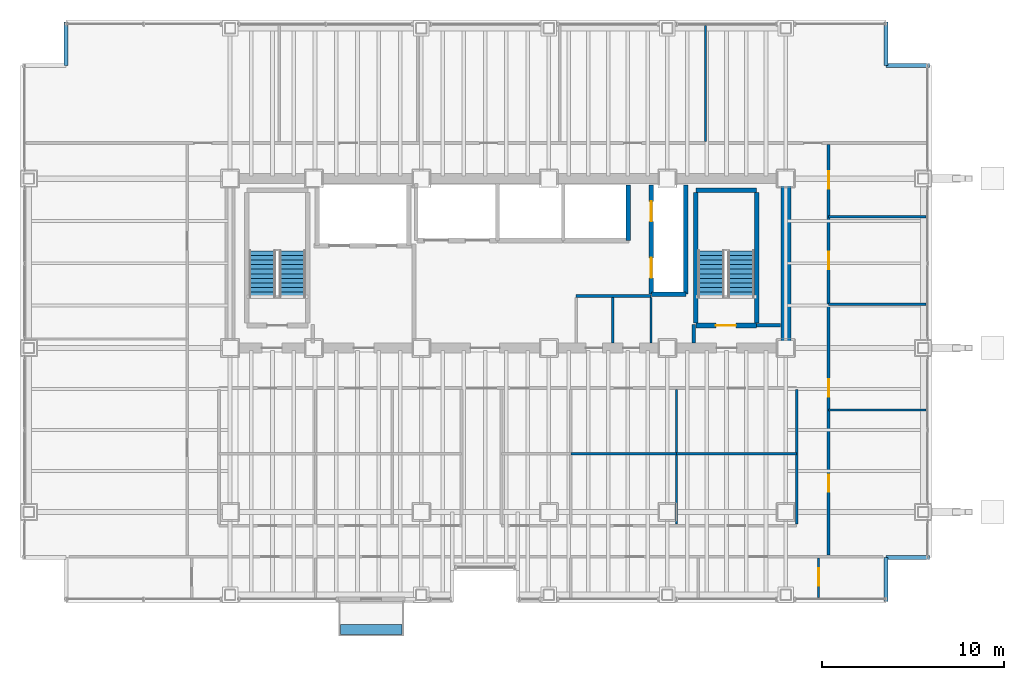
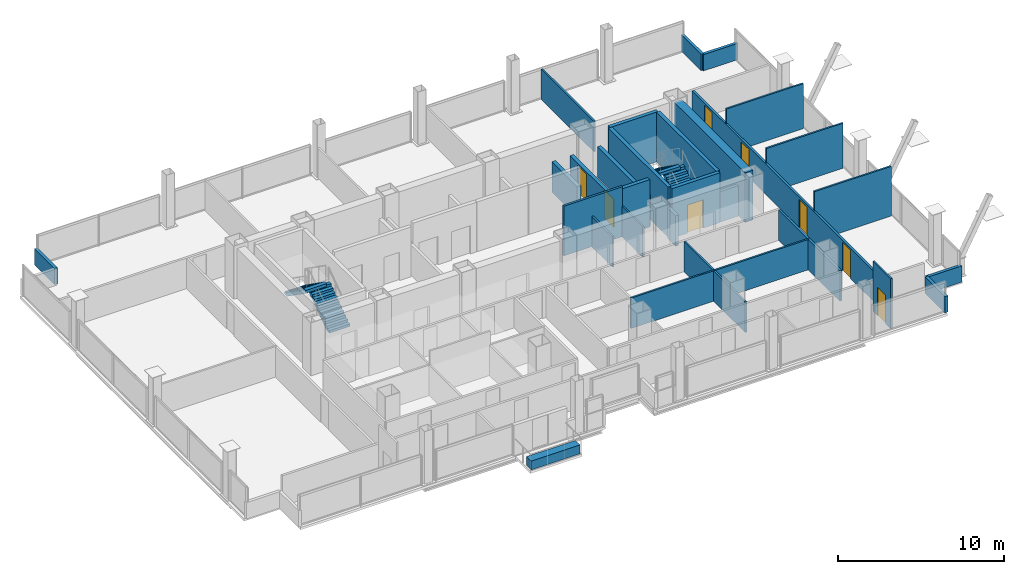
# One storey, part 20 of 21: 29 walls, 8 doors, 4 stair flights, 1 discrete accessory, 8 openings, 2 elements without a shape of their own.
"""IFC4 building model written with IfcOpenShell, lengths in metres."""

from ifc_helpers import new_model, si_unit, direction, frame, frame_2d, origin, origin_2d, place, context, subcontext, project, spatial, polyline, rectangle, outline, extrude, material, layer, layer_set, type_object, element, fill, aggregate, save


model = new_model("IFC4")

# Units and contexts
model_context = context("Model", 3, precision=1e-05, world=origin(), true_north=direction((0.0, 1.0)))
body_context = subcontext(model_context, "Body", "Model", "MODEL_VIEW")
ifc_project = project(units=[si_unit("LENGTHUNIT", "METRE"), si_unit("AREAUNIT", "SQUARE_METRE"), si_unit("VOLUMEUNIT", "CUBIC_METRE"), si_unit("PLANEANGLEUNIT", "RADIAN"), si_unit("MASSUNIT", "GRAM", prefix="KILO")], contexts=[model_context])

# Site, building, storey
site_placement = place(None, origin())
site = spatial("IfcSite", under=ifc_project, at=site_placement, CompositionType="ELEMENT")
building_placement = place(site_placement, origin())
building = spatial("IfcBuilding", under=site, at=building_placement, Name="Noeulbin Bourse Tower", CompositionType="ELEMENT")
storey_placement = place(building_placement, frame((0.0, 0.0, 49.89990234375)))
storey = spatial("IfcBuildingStorey", under=building, at=storey_placement, Name="L12", CompositionType="ELEMENT", Elevation=49.89990234375)

# Walls
ifc_material_1 = material(Name="Concrete C60/75", Category="concrete")
ifc_layer_1 = layer(ifc_material_1, 0.550048828125)
ifc_layer_set_1 = layer_set([ifc_layer_1], Name="Concrete C60/75")
wall_type_1 = type_object("IfcWallType", Name="WAL-CORE-550", PredefinedType="SHEAR", material=ifc_layer_set_1)
wall_1_placement = place(storey_placement, frame((44.0, 29.35009765625, 0.0), z_axis=(0.0, 0.0, 1.0), x_axis=(0.0, 1.0, 0.0)))
element("IfcWall", 1, at=wall_1_placement, inside=storey, type_object=wall_type_1, Name="Rear Core East Shear Wall L12", PredefinedType="SHEAR", context=body_context, shape_type="SweptSolid", body=[
    extrude(rectangle(XDim=8.599853515625, YDim=0.550048828125, at=frame_2d((4.2998046875, 0.0))), origin(), (0.0, 0.0, 1.0), 3.66015625),
])
ifc_material_2 = material(Name="Concrete C40/50", Category="concrete")
ifc_layer_2 = layer(ifc_material_2, 0.199951171875)
ifc_layer_set_2 = layer_set([ifc_layer_2], Name="Concrete C40/50")
wall_type_2 = type_object("IfcWallType", Name="WAL-FIRE-200", PredefinedType="STANDARD", material=ifc_layer_set_2)
wall_2_placement = place(storey_placement, frame((42.39990234375, 30.239990234375, 0.0), z_axis=(0.0, 0.0, 1.0), x_axis=(1.0, 0.0, 0.0)))
element("IfcWall", 2, at=wall_2_placement, inside=storey, type_object=wall_type_2, Name="Interior Partition Wall L12-01", PredefinedType="STANDARD", context=body_context, shape_type="SweptSolid", body=[
    extrude(rectangle(XDim=1.315185546875, YDim=0.199951171875, at=frame_2d((0.65771484375, 0.0))), origin(), (0.0, 0.0, 1.0), 2.239990234375),
])
wall_3_placement = place(storey_placement, frame((38.949951171875, 29.284912109375, 0.0), z_axis=(0.0, 0.0, 1.0), x_axis=(0.0, 1.0, 0.0)))
element("IfcWall", 3, at=wall_3_placement, inside=storey, type_object=wall_type_2, Name="Interior Partition Wall L12-19", PredefinedType="STANDARD", context=body_context, shape_type="SweptSolid", body=[
    extrude(rectangle(XDim=1.01513671875, YDim=0.199951171875, at=frame_2d((0.507568359375, 0.0))), origin(), (0.0, 0.0, 1.0), 2.239990234375),
])
ifc_layer_3 = layer(ifc_material_2, 0.199951171875)
ifc_layer_set_3 = layer_set([ifc_layer_3], Name="Concrete C40/50")
wall_type_3 = type_object("IfcWallType", Name="WAL-PAR-200", PredefinedType="PARAPET", material=ifc_layer_set_3)
for number, where, z_axis, x_axis, name in (
    (4, (49.5, 15.10009765625, 0.0), (0.0, 0.0, 1.0), (0.0, 1.0, 0.0), "Corner Notch Parapet L12-SE1"),
    (5, (49.5, 17.5, 0.0), (0.0, 0.0, 1.0), (1.0, 0.0, 0.0), "Corner Notch Parapet L12-SE2"),
    (6, (4.5, 44.5, 0.0), (0.0, 0.0, 1.0), (0.0, 1.0, 0.0), "Corner Notch Parapet L12-NW2"),
    (7, (49.5, 46.89990234375, 0.0), (0.0, 0.0, 1.0), (0.0, -1.0, 0.0), "Corner Notch Parapet L12-NE1"),
    (8, (49.5, 44.5, 0.0), (0.0, 0.0, 1.0), (1.0, 0.0, 0.0), "Corner Notch Parapet L12-NE2"),
):
    element("IfcWall", number, at=place(storey_placement, frame(where, z_axis=z_axis, x_axis=x_axis)), inside=storey, type_object=wall_type_3, Name=name, PredefinedType="PARAPET", context=body_context, shape_type="SweptSolid", body=[
        extrude(rectangle(XDim=2.39990234375, YDim=0.199951171875, at=frame_2d((1.199951171875, 0.0))), origin(), (0.0, 0.0, 1.0), 1.2001953125),
    ])
ifc_material_3 = material(Name="Steel Stud Gypsum Partition", Category="steel")
ifc_layer_4 = layer(ifc_material_3, 0.1201171875)
ifc_layer_set_4 = layer_set([ifc_layer_4], Name="Steel Stud Gypsum Partition")
wall_type_4 = type_object("IfcWallType", Name="WAL-PRT-120", PredefinedType="PARTITIONING", material=ifc_layer_set_4)
wall_4_placement = place(storey_placement, frame((32.199951171875, 23.199951171875, 0.0), z_axis=(0.0, 0.0, 1.0), x_axis=(1.0, 0.0, 0.0)))
element("IfcWall", 9, at=wall_4_placement, inside=storey, type_object=wall_type_4, Name="Interior Partition Wall L12-11", PredefinedType="PARTITIONING", context=body_context, shape_type="SweptSolid", body=[
    extrude(rectangle(XDim=5.800048828125, YDim=0.1201171875, at=frame_2d((2.89990234375, 0.0))), origin(), (0.0, 0.0, 1.0), 2.239990234375),
])
wall_5_placement = place(storey_placement, frame((38.0, 23.199951171875, 0.0), z_axis=(0.0, 0.0, 1.0), x_axis=(1.0, 0.0, 0.0)))
element("IfcWall", 10, at=wall_5_placement, inside=storey, type_object=wall_type_4, Name="Interior Partition Wall L12-12", PredefinedType="PARTITIONING", context=body_context, shape_type="SweptSolid", body=[
    extrude(rectangle(XDim=6.60009765625, YDim=0.1201171875, at=frame_2d((3.300048828125, 0.0))), origin(), (0.0, 0.0, 1.0), 2.239990234375),
])
wall_6_placement = place(storey_placement, frame((46.35009765625, 25.60009765625, 0.0), z_axis=(0.0, 0.0, 1.0), x_axis=(1.0, 0.0, 0.0)))
element("IfcWall", 11, at=wall_6_placement, inside=storey, type_object=wall_type_4, Name="Interior Partition Wall L12-14", PredefinedType="PARTITIONING", context=body_context, shape_type="SweptSolid", body=[
    extrude(rectangle(XDim=5.33984375, YDim=0.1201171875, at=frame_2d((2.669921875, 0.0))), origin(), (0.0, 0.0, 1.0), 3.66015625),
])
for number, where, z_axis, x_axis, name in (
    (12, (46.35009765625, 31.39990234375, 0.0), (0.0, 0.0, 1.0), (1.0, 0.0, 0.0), "Interior Partition Wall L12-15"),
    (13, (46.35009765625, 36.199951171875, 0.0), (0.0, 0.0, 1.0), (1.0, 0.0, 0.0), "Interior Partition Wall L12-16"),
):
    element("IfcWall", number, at=place(storey_placement, frame(where, z_axis=z_axis, x_axis=x_axis)), inside=storey, type_object=wall_type_4, Name=name, PredefinedType="PARTITIONING", context=body_context, shape_type="SweptSolid", body=[
        extrude(rectangle(XDim=5.33984375, YDim=0.1201171875, at=frame_2d((2.669921875, 0.0))), origin(), (0.0, 0.0, 1.0), 3.320068359375),
    ])
for number, where, z_axis, x_axis, name in (
    (14, (36.60009765625, 29.284912109375, 0.0), (0.0, 0.0, 1.0), (0.0, 1.0, 0.0), "Interior Partition Wall L12-22"),
    (15, (34.5, 29.284912109375, 0.0), (0.0, 0.0, 1.0), (0.0, 1.0, 0.0), "Interior Partition Wall L12-23"),
):
    element("IfcWall", number, at=place(storey_placement, frame(where, z_axis=z_axis, x_axis=x_axis)), inside=storey, type_object=wall_type_4, Name=name, PredefinedType="PARTITIONING", context=body_context, shape_type="SweptSolid", body=[
        extrude(rectangle(XDim=2.47998046875, YDim=0.1201171875, at=frame_2d((1.239990234375, 0.0))), origin(), (0.0, 0.0, 1.0), 2.239990234375),
    ])

# Wall, opening, door
wall_7_placement = place(storey_placement, frame((45.800048828125, 15.31005859375, 0.0), z_axis=(0.0, 0.0, 1.0), x_axis=(0.0, 1.0, 0.0)))
wall_7 = element("IfcWall", 16, at=wall_7_placement, inside=storey, type_object=wall_type_4, Name="Interior Partition Wall L12-34", PredefinedType="PARTITIONING", context=body_context, shape_type="SweptSolid", body=[
    extrude(rectangle(XDim=2.155029296875, YDim=0.1201171875, at=frame_2d((1.07763671875, 0.0))), origin(), (0.0, 0.0, 1.0), 3.66015625),
])
opening_1_placement = place(wall_7_placement, frame((0.64501953125, 0.0, 0.0)))
opening_1 = element("IfcOpeningElement", 17, at=opening_1_placement, cuts=wall_7, Name="Opening ID-09", PredefinedType="OPENING", context=body_context, shape_type="SweptSolid", body=[
    extrude(rectangle(XDim=0.949951171875, YDim=2.080078125, at=frame_2d((0.47509765625, 1.0400390625))), frame((0.0, 0.070068359375, 0.0), z_axis=(0.0, -1.0, 0.0), x_axis=(1.0, 0.0, 0.0)), (0.0, 0.0, 1.0), 0.14013671875),
])
ifc_material_4 = material(Name="Acoustic Solid-Core Timber", Category="wood")
door_type_1 = type_object("IfcDoorType", Name="DR-SINGLE-950", OperationType="SINGLE_SWING_LEFT", PredefinedType="DOOR", material=ifc_material_4)
door_1_placement = place(opening_1_placement, origin())
door_1 = element("IfcDoor", 18, at=door_1_placement, inside=storey, type_object=door_type_1, Name="Interior Door L12-13", OperationType="SINGLE_SWING_RIGHT", OverallHeight=2.080078125, OverallWidth=0.949951171875, PredefinedType="DOOR", context=body_context, shape_type="SweptSolid", body=[
    extrude(rectangle(XDim=0.949951171875, YDim=2.080078125, at=frame_2d((0.47509765625, 1.0400390625))), frame((0.0, 0.02490234375, 0.0), z_axis=(0.0, -1.0, 0.0), x_axis=(1.0, 0.0, 0.0)), (0.0, 0.0, 1.0), 0.050048828125),
])
fill(opening_1, door_1)

# Walls
wall_8_placement = place(storey_placement, frame((38.0, 19.3349609375, 0.0), z_axis=(0.0, 0.0, 1.0), x_axis=(0.0, 1.0, 0.0)))
element("IfcWall", 19, at=wall_8_placement, inside=storey, type_object=wall_type_4, Name="Interior Partition Wall L12-38", PredefinedType="PARTITIONING", context=body_context, shape_type="SweptSolid", body=[
    extrude(rectangle(XDim=7.380126953125, YDim=0.1201171875, at=frame_2d((3.68994140625, 0.0))), origin(), (0.0, 0.0, 1.0), 2.239990234375),
])
wall_9_placement = place(storey_placement, frame((39.60009765625, 40.3349609375, 0.0), z_axis=(0.0, 0.0, 1.0), x_axis=(0.0, 1.0, 0.0)))
element("IfcWall", 20, at=wall_9_placement, inside=storey, type_object=wall_type_4, Name="Interior Partition Wall L12-42", PredefinedType="PARTITIONING", context=body_context, shape_type="SweptSolid", body=[
    extrude(rectangle(XDim=6.35498046875, YDim=0.1201171875, at=frame_2d((3.177490234375, 0.0))), origin(), (0.0, 0.0, 1.0), 2.239990234375),
])
ifc_material_5 = material(Name="Steel Stud Acoustic Gypsum Board", Category="steel")
ifc_layer_5 = layer(ifc_material_5, 0.14990234375)
ifc_layer_set_5 = layer_set([ifc_layer_5], Name="Steel Stud Acoustic Gypsum Board")
wall_type_5 = type_object("IfcWallType", Name="WAL-PRT-150", PredefinedType="PARTITIONING", material=ifc_layer_set_5)
wall_10_placement = place(storey_placement, frame((32.5, 31.85009765625, 0.0), z_axis=(0.0, 0.0, 1.0), x_axis=(1.0, 0.0, 0.0)))
element("IfcWall", 21, at=wall_10_placement, inside=storey, type_object=wall_type_5, Name="Interior Partition Wall L12-02", PredefinedType="PARTITIONING", context=body_context, shape_type="SweptSolid", body=[
    extrude(rectangle(XDim=4.10009765625, YDim=0.14990234375, at=frame_2d((2.050048828125, 0.0))), origin(), (0.0, 0.0, 1.0), 3.66015625),
])

# Wall, openings, doors
wall_11_placement = place(storey_placement, frame((46.35009765625, 17.635009765625, 0.0), z_axis=(0.0, 0.0, 1.0), x_axis=(0.0, 1.0, 0.0)))
wall_11 = element("IfcWall", 22, at=wall_11_placement, inside=storey, type_object=wall_type_5, Name="Interior Partition Wall L12-28", PredefinedType="PARTITIONING", context=body_context, shape_type="SweptSolid", body=[
    extrude(rectangle(XDim=22.530029296875, YDim=0.14990234375, at=frame_2d((11.26513671875, 0.0))), origin(), (0.0, 0.0, 1.0), 2.239990234375),
])
opening_2_placement = place(wall_11_placement, frame((3.465087890625, 0.0, 0.0)))
opening_2 = element("IfcOpeningElement", 23, at=opening_2_placement, cuts=wall_11, Name="Opening ID-09", PredefinedType="OPENING", context=body_context, shape_type="SweptSolid", body=[
    extrude(rectangle(XDim=0.949951171875, YDim=2.080078125, at=frame_2d((0.47509765625, 1.0400390625))), frame((0.0, 0.0849609375, 0.0), z_axis=(0.0, -1.0, 0.0), x_axis=(1.0, 0.0, 0.0)), (0.0, 0.0, 1.0), 0.169921875),
])
opening_3_placement = place(wall_11_placement, frame((8.68994140625, 0.0, 0.0)))
opening_3 = element("IfcOpeningElement", 24, at=opening_3_placement, cuts=wall_11, Name="Opening ID-09", PredefinedType="OPENING", context=body_context, shape_type="SweptSolid", body=[
    extrude(rectangle(XDim=0.949951171875, YDim=2.080078125, at=frame_2d((0.47509765625, 1.0400390625))), frame((0.0, 0.0849609375, 0.0), z_axis=(0.0, -1.0, 0.0), x_axis=(1.0, 0.0, 0.0)), (0.0, 0.0, 1.0), 0.169921875),
])
opening_4_placement = place(wall_11_placement, frame((15.68994140625, 0.0, 0.0)))
opening_4 = element("IfcOpeningElement", 25, at=opening_4_placement, cuts=wall_11, Name="Opening ID-09", PredefinedType="OPENING", context=body_context, shape_type="SweptSolid", body=[
    extrude(rectangle(XDim=0.949951171875, YDim=2.080078125, at=frame_2d((0.47509765625, 1.0400390625))), frame((0.0, 0.0849609375, 0.0), z_axis=(0.0, -1.0, 0.0), x_axis=(1.0, 0.0, 0.0)), (0.0, 0.0, 1.0), 0.169921875),
])
opening_5_placement = place(wall_11_placement, frame((20.114990234375, 0.0, 0.0)))
opening_5 = element("IfcOpeningElement", 26, at=opening_5_placement, cuts=wall_11, Name="Opening ID-09", PredefinedType="OPENING", context=body_context, shape_type="SweptSolid", body=[
    extrude(rectangle(XDim=0.949951171875, YDim=2.080078125, at=frame_2d((0.47509765625, 1.0400390625))), frame((0.0, 0.0849609375, 0.0), z_axis=(0.0, -1.0, 0.0), x_axis=(1.0, 0.0, 0.0)), (0.0, 0.0, 1.0), 0.169921875),
])
door_2_placement = place(opening_2_placement, origin())
door_2 = element("IfcDoor", 27, at=door_2_placement, inside=storey, type_object=door_type_1, Name="Interior Door L12-28", OperationType="SINGLE_SWING_LEFT", OverallHeight=2.080078125, OverallWidth=0.949951171875, PredefinedType="DOOR", context=body_context, shape_type="SweptSolid", body=[
    extrude(rectangle(XDim=0.949951171875, YDim=2.080078125, at=frame_2d((0.47509765625, 1.0400390625))), frame((0.0, 0.02490234375, 0.0), z_axis=(0.0, -1.0, 0.0), x_axis=(1.0, 0.0, 0.0)), (0.0, 0.0, 1.0), 0.050048828125),
])
fill(opening_2, door_2)
door_3_placement = place(opening_3_placement, origin())
door_3 = element("IfcDoor", 28, at=door_3_placement, inside=storey, type_object=door_type_1, Name="Interior Door L12-29", OperationType="SINGLE_SWING_RIGHT", OverallHeight=2.080078125, OverallWidth=0.949951171875, PredefinedType="DOOR", context=body_context, shape_type="SweptSolid", body=[
    extrude(rectangle(XDim=0.949951171875, YDim=2.080078125, at=frame_2d((0.47509765625, 1.0400390625))), frame((0.0, 0.02490234375, 0.0), z_axis=(0.0, -1.0, 0.0), x_axis=(1.0, 0.0, 0.0)), (0.0, 0.0, 1.0), 0.050048828125),
])
fill(opening_3, door_3)
door_4_placement = place(opening_4_placement, origin())
door_4 = element("IfcDoor", 29, at=door_4_placement, inside=storey, type_object=door_type_1, Name="Interior Door L12-30", OperationType="SINGLE_SWING_LEFT", OverallHeight=2.080078125, OverallWidth=0.949951171875, PredefinedType="DOOR", context=body_context, shape_type="SweptSolid", body=[
    extrude(rectangle(XDim=0.949951171875, YDim=2.080078125, at=frame_2d((0.47509765625, 1.0400390625))), frame((0.0, 0.02490234375, 0.0), z_axis=(0.0, -1.0, 0.0), x_axis=(1.0, 0.0, 0.0)), (0.0, 0.0, 1.0), 0.050048828125),
])
fill(opening_4, door_4)
door_5_placement = place(opening_5_placement, origin())
door_5 = element("IfcDoor", 30, at=door_5_placement, inside=storey, type_object=door_type_1, Name="Interior Door L12-31", OperationType="SINGLE_SWING_RIGHT", OverallHeight=2.080078125, OverallWidth=0.949951171875, PredefinedType="DOOR", context=body_context, shape_type="SweptSolid", body=[
    extrude(rectangle(XDim=0.949951171875, YDim=2.080078125, at=frame_2d((0.47509765625, 1.0400390625))), frame((0.0, 0.02490234375, 0.0), z_axis=(0.0, -1.0, 0.0), x_axis=(1.0, 0.0, 0.0)), (0.0, 0.0, 1.0), 0.050048828125),
])
fill(opening_5, door_5)

# Wall
wall_12_placement = place(storey_placement, frame((44.60009765625, 19.3349609375, 0.0), z_axis=(0.0, 0.0, 1.0), x_axis=(0.0, 1.0, 0.0)))
element("IfcWall", 31, at=wall_12_placement, inside=storey, type_object=wall_type_5, Name="Interior Partition Wall L12-29", PredefinedType="PARTITIONING", context=body_context, shape_type="SweptSolid", body=[
    extrude(rectangle(XDim=7.380126953125, YDim=0.14990234375, at=frame_2d((3.68994140625, 0.0))), origin(), (0.0, 0.0, 1.0), 2.239990234375),
])

# Wall, opening, door
ifc_layer_6 = layer(ifc_material_2, 0.25)
ifc_layer_set_6 = layer_set([ifc_layer_6], Name="Concrete C40/50")
wall_type_6 = type_object("IfcWallType", Name="WAL-SHFT-250", PredefinedType="STANDARD", material=ifc_layer_set_6)
wall_13_placement = place(storey_placement, frame((39.06005859375, 30.235107421875, 0.0), z_axis=(0.0, 0.0, 1.0), x_axis=(1.0, 0.0, 0.0)))
wall_13 = element("IfcWall", 32, at=wall_13_placement, inside=storey, type_object=wall_type_6, Name="Stair ST-2 South Shaft Wall L12", PredefinedType="STANDARD", context=body_context, shape_type="SweptSolid", body=[
    extrude(rectangle(XDim=3.33984375, YDim=0.25, at=frame_2d((1.669921875, 0.0))), origin(), (0.0, 0.0, 1.0), 3.66015625),
])
opening_6_placement = place(wall_13_placement, frame((1.10009765625, 0.0, 0.0)))
opening_6 = element("IfcOpeningElement", 33, at=opening_6_placement, cuts=wall_13, Name="Opening FD-11", PredefinedType="OPENING", context=body_context, shape_type="SweptSolid", body=[
    extrude(rectangle(XDim=1.10009765625, YDim=2.080078125, at=frame_2d((0.550048828125, 1.0400390625))), frame((0.0, 0.135009765625, 0.0), z_axis=(0.0, -1.0, 0.0), x_axis=(1.0, 0.0, 0.0)), (0.0, 0.0, 1.0), 0.27001953125),
])
ifc_material_6 = material(Name="Fire-Rated Insulated Steel", Category="steel")
door_type_2 = type_object("IfcDoorType", Name="DR-FD60-1100", OperationType="SINGLE_SWING_LEFT", PredefinedType="DOOR", material=ifc_material_6)
door_6_placement = place(opening_6_placement, origin())
door_6 = element("IfcDoor", 34, at=door_6_placement, inside=storey, type_object=door_type_2, Name="Protected Stair Entry Door ST2-L12", OperationType="SINGLE_SWING_LEFT", OverallHeight=2.080078125, OverallWidth=1.10009765625, PredefinedType="DOOR", context=body_context, shape_type="SweptSolid", body=[
    extrude(rectangle(XDim=1.10009765625, YDim=2.080078125, at=frame_2d((0.550048828125, 1.0400390625))), frame((0.0, 0.02490234375, 0.0), z_axis=(0.0, -1.0, 0.0), x_axis=(1.0, 0.0, 0.0)), (0.0, 0.0, 1.0), 0.050048828125),
])
fill(opening_6, door_6)

# Walls
wall_14_placement = place(storey_placement, frame((39.06005859375, 37.6689453125, 0.0), z_axis=(0.0, 0.0, 1.0), x_axis=(1.0, 0.0, 0.0)))
element("IfcWall", 35, at=wall_14_placement, inside=storey, type_object=wall_type_6, Name="Stair ST-2 North Shaft Wall L12", PredefinedType="STANDARD", context=body_context, shape_type="SweptSolid", body=[
    extrude(rectangle(XDim=3.33984375, YDim=0.25, at=frame_2d((1.669921875, 0.0))), origin(), (0.0, 0.0, 1.0), 3.66015625),
])
for number, where, z_axis, x_axis, name in (
    (36, (39.054931640625, 30.360107421875, 0.0), (0.0, 0.0, 1.0), (0.0, 1.0, 0.0), "Stair ST-2 West Shaft Wall L12"),
    (37, (42.405029296875, 30.360107421875, 0.0), (0.0, 0.0, 1.0), (0.0, 1.0, 0.0), "Stair ST-2 East Shaft Wall L12"),
):
    element("IfcWall", number, at=place(storey_placement, frame(where, z_axis=z_axis, x_axis=x_axis)), inside=storey, type_object=wall_type_6, Name=name, PredefinedType="STANDARD", context=body_context, shape_type="SweptSolid", body=[
        extrude(rectangle(XDim=7.183837890625, YDim=0.25, at=frame_2d((3.591796875, 0.0))), origin(), (0.0, 0.0, 1.0), 3.66015625),
    ])

# Wall, openings, doors
wall_15_placement = place(storey_placement, frame((36.6201171875, 31.949951171875, 0.0), z_axis=(0.0, 0.0, 1.0), x_axis=(0.0, 1.0, 0.0)))
wall_15 = element("IfcWall", 38, at=wall_15_placement, inside=storey, type_object=wall_type_6, Name="Service Lift Shaft Wall L12", PredefinedType="STANDARD", context=body_context, shape_type="SweptSolid", body=[
    extrude(rectangle(XDim=6.0, YDim=0.25, at=frame_2d((3.0, 0.0))), origin(), (0.0, 0.0, 1.0), 2.239990234375),
])
opening_7_placement = place(wall_15_placement, frame((0.89990234375, 0.0, 0.0)))
opening_7 = element("IfcOpeningElement", 39, at=opening_7_placement, cuts=wall_15, Name="Opening LD-11", PredefinedType="OPENING", context=body_context, shape_type="SweptSolid", body=[
    extrude(rectangle(XDim=1.10009765625, YDim=2.080078125, at=frame_2d((0.550048828125, 1.0400390625))), frame((0.0, 0.135009765625, 0.0), z_axis=(0.0, -1.0, 0.0), x_axis=(1.0, 0.0, 0.0)), (0.0, 0.0, 1.0), 0.27001953125),
])
opening_8_placement = place(wall_15_placement, frame((4.0, 0.0, 0.0)))
opening_8 = element("IfcOpeningElement", 40, at=opening_8_placement, cuts=wall_15, Name="Opening LD-11", PredefinedType="OPENING", context=body_context, shape_type="SweptSolid", body=[
    extrude(rectangle(XDim=1.10009765625, YDim=2.080078125, at=frame_2d((0.550048828125, 1.0400390625))), frame((0.0, 0.135009765625, 0.0), z_axis=(0.0, -1.0, 0.0), x_axis=(1.0, 0.0, 0.0)), (0.0, 0.0, 1.0), 0.27001953125),
])
ifc_material_7 = material(Name="Brushed Stainless Steel 316", Category="steel")
door_type_3 = type_object("IfcDoorType", Name="DR-LIFT-1100", OperationType="SLIDING_TO_LEFT", PredefinedType="DOOR", material=ifc_material_7)
door_7_placement = place(opening_7_placement, origin())
door_7 = element("IfcDoor", 41, at=door_7_placement, inside=storey, type_object=door_type_3, Name="Lift Landing Door LD-EL-01-L12", OperationType="SLIDING_TO_LEFT", OverallHeight=2.080078125, OverallWidth=1.10009765625, PredefinedType="DOOR", context=body_context, shape_type="SweptSolid", body=[
    extrude(rectangle(XDim=1.10009765625, YDim=2.080078125, at=frame_2d((0.550048828125, 1.0400390625))), frame((0.0, 0.02490234375, 0.0), z_axis=(0.0, -1.0, 0.0), x_axis=(1.0, 0.0, 0.0)), (0.0, 0.0, 1.0), 0.050048828125),
])
fill(opening_7, door_7)
door_8_placement = place(opening_8_placement, origin())
door_8 = element("IfcDoor", 42, at=door_8_placement, inside=storey, type_object=door_type_3, Name="Lift Landing Door LD-SV-01-L12", OperationType="SLIDING_TO_LEFT", OverallHeight=2.080078125, OverallWidth=1.10009765625, PredefinedType="DOOR", context=body_context, shape_type="SweptSolid", body=[
    extrude(rectangle(XDim=1.10009765625, YDim=2.080078125, at=frame_2d((0.550048828125, 1.0400390625))), frame((0.0, 0.02490234375, 0.0), z_axis=(0.0, -1.0, 0.0), x_axis=(1.0, 0.0, 0.0)), (0.0, 0.0, 1.0), 0.050048828125),
])
fill(opening_8, door_8)

# Walls
wall_16_placement = place(storey_placement, frame((38.52001953125, 31.949951171875, 0.0), z_axis=(0.0, 0.0, 1.0), x_axis=(0.0, 1.0, 0.0)))
element("IfcWall", 43, at=wall_16_placement, inside=storey, type_object=wall_type_6, Name="Service Lift East Shaft Wall L12", PredefinedType="STANDARD", context=body_context, shape_type="SweptSolid", body=[
    extrude(rectangle(XDim=6.0, YDim=0.25, at=frame_2d((3.0, 0.0))), origin(), (0.0, 0.0, 1.0), 2.239990234375),
])
wall_17_placement = place(storey_placement, frame((36.6201171875, 31.949951171875, 0.0), z_axis=(0.0, 0.0, 1.0), x_axis=(1.0, 0.0, 0.0)))
element("IfcWall", 44, at=wall_17_placement, inside=storey, type_object=wall_type_6, Name="Service Lift South Shaft Wall L12", PredefinedType="STANDARD", context=body_context, shape_type="SweptSolid", body=[
    extrude(rectangle(XDim=1.89990234375, YDim=0.25, at=frame_2d((0.949951171875, 0.0))), origin(), (0.0, 0.0, 1.0), 3.47998046875),
])
wall_18_placement = place(storey_placement, frame((35.360107421875, 34.89990234375, 0.0), z_axis=(0.0, 0.0, 1.0), x_axis=(0.0, 1.0, 0.0)))
element("IfcWall", 45, at=wall_18_placement, inside=storey, type_object=wall_type_6, Name="High-Rise Lift East Shaft Wall L12", PredefinedType="STANDARD", context=body_context, shape_type="SweptSolid", body=[
    extrude(rectangle(XDim=3.050048828125, YDim=0.25, at=frame_2d((1.52490234375, 0.0))), origin(), (0.0, 0.0, 1.0), 2.239990234375),
])

# Stair, stair flights
stair_type = type_object("IfcStairType", Name="STR-CORE-1560", PredefinedType="HALF_TURN_STAIR", material=ifc_material_2)
stair_1_placement = place(storey_placement, origin())
stair_1 = element("IfcStair", 46, at=stair_1_placement, inside=storey, type_object=stair_type, Name="L12 ST-1", PredefinedType="HALF_TURN_STAIR")
stair_flight_type = type_object("IfcStairFlightType", Name="SFL-CORE-1560", PredefinedType="STRAIGHT", material=ifc_material_2)
stair_flight_1_placement = place(storey_placement, frame((16.925048828125, 31.81005859375, 0.0), z_axis=(0.0, 0.0, 1.0), x_axis=(0.0, 1.0, 0.0)))
stair_flight_1 = element("IfcStairFlight", 47, at=stair_flight_1_placement, type_object=stair_flight_type, Name="ST-1 flight 1", NumberOfRisers=11, NumberOfTreads=10, PredefinedType="STRAIGHT", RiserHeight=0.177272727, TreadLength=0.252, context=body_context, shape_type="SweptSolid", body=[
    extrude(outline(polyline([(0.0, 0.0), (0.0, 0.17724609375), (0.251953125, 0.17724609375), (0.251953125, 0.3544921875), (0.50390625, 0.3544921875), (0.50390625, 0.53173828125), (0.756103515625, 0.53173828125), (0.756103515625, 0.708984375), (1.008056640625, 0.708984375), (1.008056640625, 0.886474609375), (1.260009765625, 0.886474609375), (1.260009765625, 1.063720703125), (1.511962890625, 1.063720703125), (1.511962890625, 1.240966796875), (1.763916015625, 1.240966796875), (1.763916015625, 1.418212890625), (2.01611328125, 1.418212890625), (2.01611328125, 1.595458984375), (2.26806640625, 1.595458984375), (2.26806640625, 1.772705078125), (2.52001953125, 1.772705078125), (2.52001953125, 1.949951171875), (2.52001953125, 1.552734375), (0.312744140625, 0.0), (0.0, 0.0)])), frame((0.0, 0.72509765625, 0.0), z_axis=(0.0, -1.0, 0.0), x_axis=(1.0, 0.0, 0.0)), (0.0, 0.0, 1.0), 1.449951171875),
])
stair_flight_2_placement = place(storey_placement, frame((15.27490234375, 34.330078125, 1.9501953125), z_axis=(0.0, 0.0, 1.0), x_axis=(0.0, -1.0, 0.0)))
stair_flight_2 = element("IfcStairFlight", 48, at=stair_flight_2_placement, type_object=stair_flight_type, Name="ST-1 flight 2", NumberOfRisers=11, NumberOfTreads=10, PredefinedType="STRAIGHT", RiserHeight=0.177272727, TreadLength=0.252, context=body_context, shape_type="SweptSolid", body=[
    extrude(outline(polyline([(0.0, 0.0), (0.0, 0.17724609375), (0.251953125, 0.17724609375), (0.251953125, 0.3544921875), (0.50390625, 0.3544921875), (0.50390625, 0.53173828125), (0.756103515625, 0.53173828125), (0.756103515625, 0.708984375), (1.008056640625, 0.708984375), (1.008056640625, 0.886474609375), (1.260009765625, 0.886474609375), (1.260009765625, 1.063720703125), (1.511962890625, 1.063720703125), (1.511962890625, 1.240966796875), (1.763916015625, 1.240966796875), (1.763916015625, 1.418212890625), (2.01611328125, 1.418212890625), (2.01611328125, 1.595458984375), (2.26806640625, 1.595458984375), (2.26806640625, 1.772705078125), (2.52001953125, 1.772705078125), (2.52001953125, 1.949951171875), (2.52001953125, 1.552734375), (0.312744140625, 0.0), (0.0, 0.0)])), frame((0.0, 0.72509765625, 0.0), z_axis=(0.0, -1.0, 0.0), x_axis=(1.0, 0.0, 0.0)), (0.0, 0.0, 1.0), 1.449951171875),
])
aggregate(stair_1, [stair_flight_1, stair_flight_2])

stair_2_placement = place(storey_placement, origin())
stair_2 = element("IfcStair", 49, at=stair_2_placement, inside=storey, type_object=stair_type, Name="L12 ST-2", PredefinedType="HALF_TURN_STAIR")
stair_flight_3_placement = place(storey_placement, frame((41.554931640625, 31.81005859375, 0.0), z_axis=(0.0, 0.0, 1.0), x_axis=(0.0, 1.0, 0.0)))
stair_flight_3 = element("IfcStairFlight", 50, at=stair_flight_3_placement, type_object=stair_flight_type, Name="ST-2 flight 1", NumberOfRisers=11, NumberOfTreads=10, PredefinedType="STRAIGHT", RiserHeight=0.177272727, TreadLength=0.252, context=body_context, shape_type="SweptSolid", body=[
    extrude(outline(polyline([(0.0, 0.0), (0.0, 0.17724609375), (0.251953125, 0.17724609375), (0.251953125, 0.3544921875), (0.50390625, 0.3544921875), (0.50390625, 0.53173828125), (0.756103515625, 0.53173828125), (0.756103515625, 0.708984375), (1.008056640625, 0.708984375), (1.008056640625, 0.886474609375), (1.260009765625, 0.886474609375), (1.260009765625, 1.063720703125), (1.511962890625, 1.063720703125), (1.511962890625, 1.240966796875), (1.763916015625, 1.240966796875), (1.763916015625, 1.418212890625), (2.01611328125, 1.418212890625), (2.01611328125, 1.595458984375), (2.26806640625, 1.595458984375), (2.26806640625, 1.772705078125), (2.52001953125, 1.772705078125), (2.52001953125, 1.949951171875), (2.52001953125, 1.552734375), (0.312744140625, 0.0), (0.0, 0.0)])), frame((0.0, 0.72509765625, 0.0), z_axis=(0.0, -1.0, 0.0), x_axis=(1.0, 0.0, 0.0)), (0.0, 0.0, 1.0), 1.449951171875),
])
stair_flight_4_placement = place(storey_placement, frame((39.905029296875, 34.330078125, 1.9501953125), z_axis=(0.0, 0.0, 1.0), x_axis=(0.0, -1.0, 0.0)))
stair_flight_4 = element("IfcStairFlight", 51, at=stair_flight_4_placement, type_object=stair_flight_type, Name="ST-2 flight 2", NumberOfRisers=11, NumberOfTreads=10, PredefinedType="STRAIGHT", RiserHeight=0.177272727, TreadLength=0.252, context=body_context, shape_type="SweptSolid", body=[
    extrude(outline(polyline([(0.0, 0.0), (0.0, 0.17724609375), (0.251953125, 0.17724609375), (0.251953125, 0.3544921875), (0.50390625, 0.3544921875), (0.50390625, 0.53173828125), (0.756103515625, 0.53173828125), (0.756103515625, 0.708984375), (1.008056640625, 0.708984375), (1.008056640625, 0.886474609375), (1.260009765625, 0.886474609375), (1.260009765625, 1.063720703125), (1.511962890625, 1.063720703125), (1.511962890625, 1.240966796875), (1.763916015625, 1.240966796875), (1.763916015625, 1.418212890625), (2.01611328125, 1.418212890625), (2.01611328125, 1.595458984375), (2.26806640625, 1.595458984375), (2.26806640625, 1.772705078125), (2.52001953125, 1.772705078125), (2.52001953125, 1.949951171875), (2.52001953125, 1.552734375), (0.312744140625, 0.0), (0.0, 0.0)])), frame((0.0, 0.72509765625, 0.0), z_axis=(0.0, -1.0, 0.0), x_axis=(1.0, 0.0, 0.0)), (0.0, 0.0, 1.0), 1.449951171875),
])
aggregate(stair_2, [stair_flight_3, stair_flight_4])

# Discrete accessory
ifc_material_8 = material(Name="Architectural GFRC Concrete C40/50", Category="concrete")
ifc_layer_7 = layer(ifc_material_8, 0.64990234375)
ifc_layer_set_7 = layer_set([ifc_layer_7], Name="Architectural GFRC Concrete C40/50")
discrete_accessory_type = type_object("IfcDiscreteAccessoryType", Name="PLANTER-BOX-3600", PredefinedType="USERDEFINED", material=ifc_layer_set_7)
discrete_accessory_placement = place(storey_placement, frame((21.25, 13.56005859375, 0.000244140625), z_axis=(0.0, 0.0, 1.0), x_axis=(1.0, 0.0, 0.0)))
element("IfcDiscreteAccessory", 52, at=discrete_accessory_placement, inside=storey, type_object=discrete_accessory_type, Name="Integrated Balcony Tree Planter Box L12", ObjectType="PLANTER", PredefinedType="USERDEFINED", context=body_context, shape_type="SweptSolid", body=[
    extrude(rectangle(XDim=3.39990234375, YDim=0.550048828125, at=origin_2d()), origin(), (0.0, 0.0, 1.0), 0.64990234375),
])

save(model, "model.ifc")
